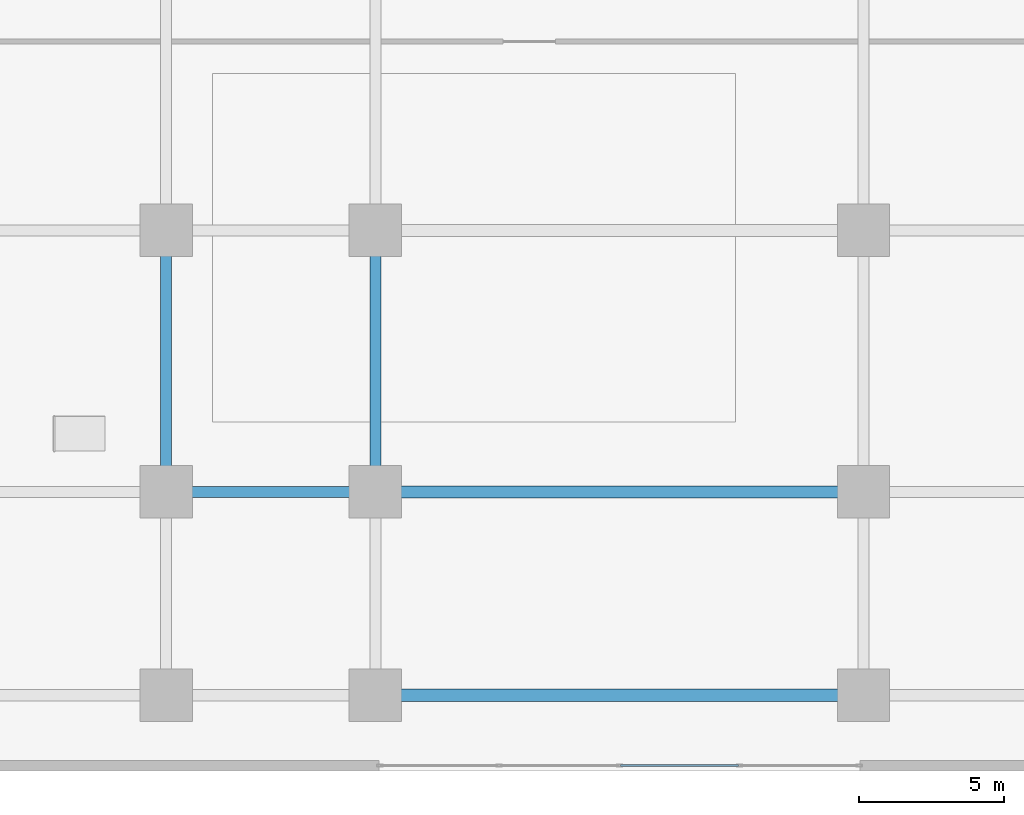
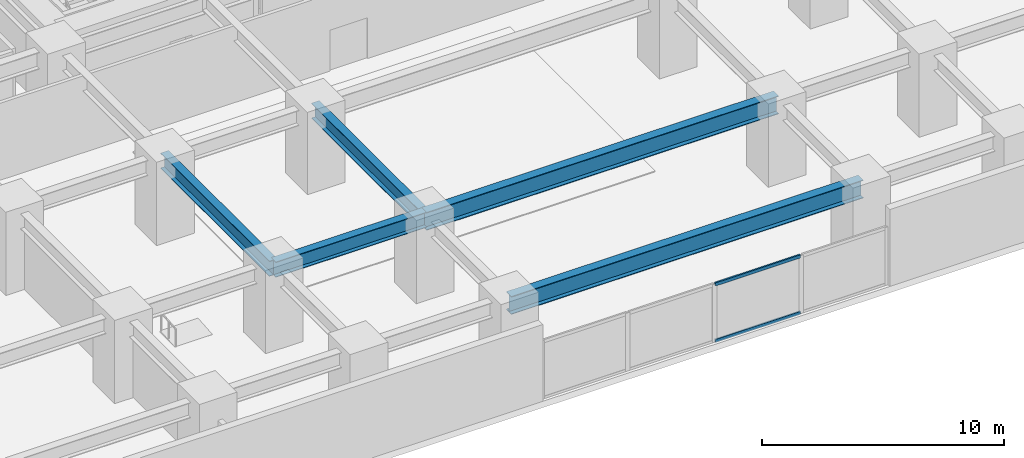
# One storey, part 3 of 22: 5 beams, 2 members, 1 element without a shape of its own.
"""IFC4 building model written with IfcOpenShell, lengths in metres."""

from ifc_helpers import new_model, si_unit, direction, frame, origin, origin_2d, place, context, subcontext, project, spatial, hollow_rectangle, i_section, extrude, material, layer, layer_set, material_profile, profile_set, type_object, element, aggregate, save


model = new_model("IFC4")

# Units and contexts
model_context = context("Model", 3, precision=1e-05, world=origin(), true_north=direction((0.0, 1.0)))
body_context = subcontext(model_context, "Body", "Model", "MODEL_VIEW")
ifc_project = project(units=[si_unit("LENGTHUNIT", "METRE"), si_unit("AREAUNIT", "SQUARE_METRE"), si_unit("VOLUMEUNIT", "CUBIC_METRE"), si_unit("PLANEANGLEUNIT", "RADIAN"), si_unit("MASSUNIT", "GRAM", prefix="KILO")], contexts=[model_context])

# Site, building, storey
site_placement = place(None, origin())
site = spatial("IfcSite", under=ifc_project, at=site_placement, CompositionType="ELEMENT")
building_placement = place(site_placement, origin())
building = spatial("IfcBuilding", under=site, at=building_placement, Name="Kiyonajd Concourse Tower", CompositionType="ELEMENT")
storey_placement = place(building_placement, frame((0.0, 0.0, 4.5)))
storey = spatial("IfcBuildingStorey", under=building, at=storey_placement, Name="L02", CompositionType="ELEMENT", Elevation=4.5)

# Beams
ifc_material_1 = material(Name="Steel ASTM A992 Grade 50", Category="steel")
ifc_material_profile_1 = material_profile(ifc_material_1, i_section(OverallWidth=0.41796875, OverallDepth=0.912109375, WebThickness=0.019287109375, FlangeThickness=0.031982421875, at=origin_2d()), Name="W920X342")
ifc_profile_set_1 = profile_set([ifc_material_profile_1], Name="Steel ASTM A992 Grade 50")
beam_type_1 = type_object("IfcBeamType", Name="BM-CON-920B", PredefinedType="BEAM", material=ifc_profile_set_1)
for number, where, z_axis, x_axis, name in (
    (1, (39.60009765625, 2.60009765625, 3.424072265625), (1.0, 0.0, 0.0), (0.0, 1.0, 0.0), "L02 Concourse Clear Span Girder"),
    (2, (39.60009765625, 9.60009765625, 3.424072265625), (1.0, 0.0, 0.0), (0.0, 1.0, 0.0), "L02 Concourse Clear Span Girder"),
):
    element("IfcBeam", number, at=place(storey_placement, frame(where, z_axis=z_axis, x_axis=x_axis)), inside=storey, type_object=beam_type_1, Name=name, PredefinedType="BEAM", context=body_context, shape_type="SweptSolid", body=[
        extrude(i_section(OverallWidth=0.41796875, OverallDepth=0.912109375, WebThickness=0.019287109375, FlangeThickness=0.031982421875, at=origin_2d()), origin(), (0.0, 0.0, 1.0), 16.7998046875),
    ])
ifc_material_profile_2 = material_profile(ifc_material_1, i_section(OverallWidth=0.381103515625, OverallDepth=0.77294921875, WebThickness=0.0166015625, FlangeThickness=0.027099609375, at=origin_2d()), Name="W760X257")
ifc_profile_set_2 = profile_set([ifc_material_profile_2], Name="Steel ASTM A992 Grade 50")
beam_type_2 = type_object("IfcBeamType", Name="BM-POD-760", PredefinedType="BEAM", material=ifc_profile_set_2)
beam_placement = place(storey_placement, frame((32.39990234375, 9.60009765625, 3.493408203125), z_axis=(1.0, 0.0, 0.0), x_axis=(0.0, 1.0, 0.0)))
element("IfcBeam", 3, at=beam_placement, inside=storey, type_object=beam_type_2, Name="L02 Podium Primary Beam", PredefinedType="BEAM", context=body_context, shape_type="SweptSolid", body=[
    extrude(i_section(OverallWidth=0.381103515625, OverallDepth=0.77294921875, WebThickness=0.0166015625, FlangeThickness=0.027099609375, at=origin_2d()), origin(), (0.0, 0.0, 1.0), 7.2001953125),
])
for number, where, z_axis, x_axis, name in (
    (4, (32.39990234375, 9.60009765625, 3.493408203125), (0.0, 1.0, 0.0), (-1.0, 0.0, 0.0), "L02 Podium North South Beam"),
    (5, (39.60009765625, 9.60009765625, 3.493408203125), (0.0, 1.0, 0.0), (-1.0, 0.0, 0.0), "L02 Podium North South Beam"),
):
    element("IfcBeam", number, at=place(storey_placement, frame(where, z_axis=z_axis, x_axis=x_axis)), inside=storey, type_object=beam_type_2, Name=name, PredefinedType="BEAM", context=body_context, shape_type="SweptSolid", body=[
        extrude(i_section(OverallWidth=0.381103515625, OverallDepth=0.77294921875, WebThickness=0.0166015625, FlangeThickness=0.027099609375, at=origin_2d()), origin(), (0.0, 0.0, 1.0), 9.0),
    ])

# Curtain wall, members
ifc_material_2 = material(Name="Thermally Broken Anodised Aluminium", Category="aluminium")
ifc_layer = layer(ifc_material_2, 0.179931640625)
ifc_layer_set = layer_set([ifc_layer], Name="Thermally Broken Anodised Aluminium")
curtain_wall_type = type_object("IfcCurtainWallType", Name="CW-SYS-01", PredefinedType="NOTDEFINED", material=ifc_layer_set)
curtain_wall_placement = place(storey_placement, origin())
curtain_wall = element("IfcCurtainWall", 6, at=curtain_wall_placement, inside=storey, type_object=curtain_wall_type, Name="L02 Unitised Curtain Wall CW1", PredefinedType="NOTDEFINED")
ifc_material_profile_3 = material_profile(ifc_material_2, hollow_rectangle(XDim=0.074951171875, YDim=0.159912109375, WallThickness=0.0048828125, at=origin_2d()), Name="TRAN-75x160")
ifc_profile_set_3 = profile_set([ifc_material_profile_3], Name="Thermally Broken Anodised Aluminium")
member_type = type_object("IfcMemberType", Name="MB-CW-TRAN2", PredefinedType="USERDEFINED", material=ifc_profile_set_3)
member_1_placement = place(storey_placement, frame((52.1025390625, 0.179931640625, 0.03759765625), z_axis=(-1.0, 0.0, 0.0), x_axis=(0.0, -1.0, 0.0)))
member_1 = element("IfcMember", 7, at=member_1_placement, type_object=member_type, Name="CW1 transom 2.1", ObjectType="TRANSOM", PredefinedType="USERDEFINED", context=body_context, shape_type="SweptSolid", body=[
    extrude(hollow_rectangle(XDim=0.074951171875, YDim=0.159912109375, WallThickness=0.0048828125, at=origin_2d()), origin(), (0.0, 0.0, 1.0), 4.06494140625),
])
member_2_placement = place(storey_placement, frame((52.1025390625, 0.179931640625, 2.892578125), z_axis=(-1.0, 0.0, 0.0), x_axis=(0.0, -1.0, 0.0)))
member_2 = element("IfcMember", 8, at=member_2_placement, type_object=member_type, Name="CW1 transom 2.2", ObjectType="TRANSOM", PredefinedType="USERDEFINED", context=body_context, shape_type="SweptSolid", body=[
    extrude(hollow_rectangle(XDim=0.074951171875, YDim=0.159912109375, WallThickness=0.0048828125, at=origin_2d()), origin(), (0.0, 0.0, 1.0), 4.06494140625),
])
aggregate(curtain_wall, [member_1, member_2])

save(model, "model.ifc")
